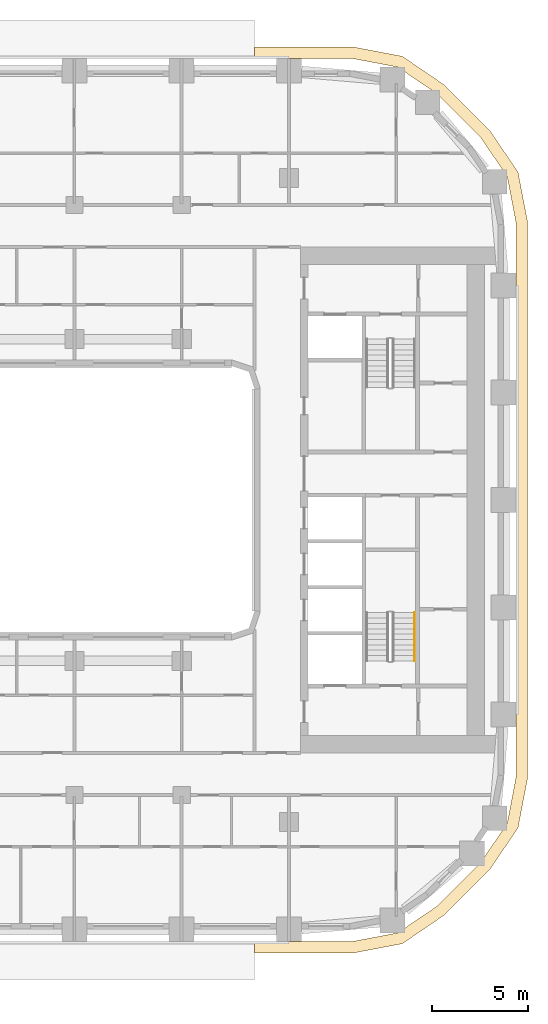
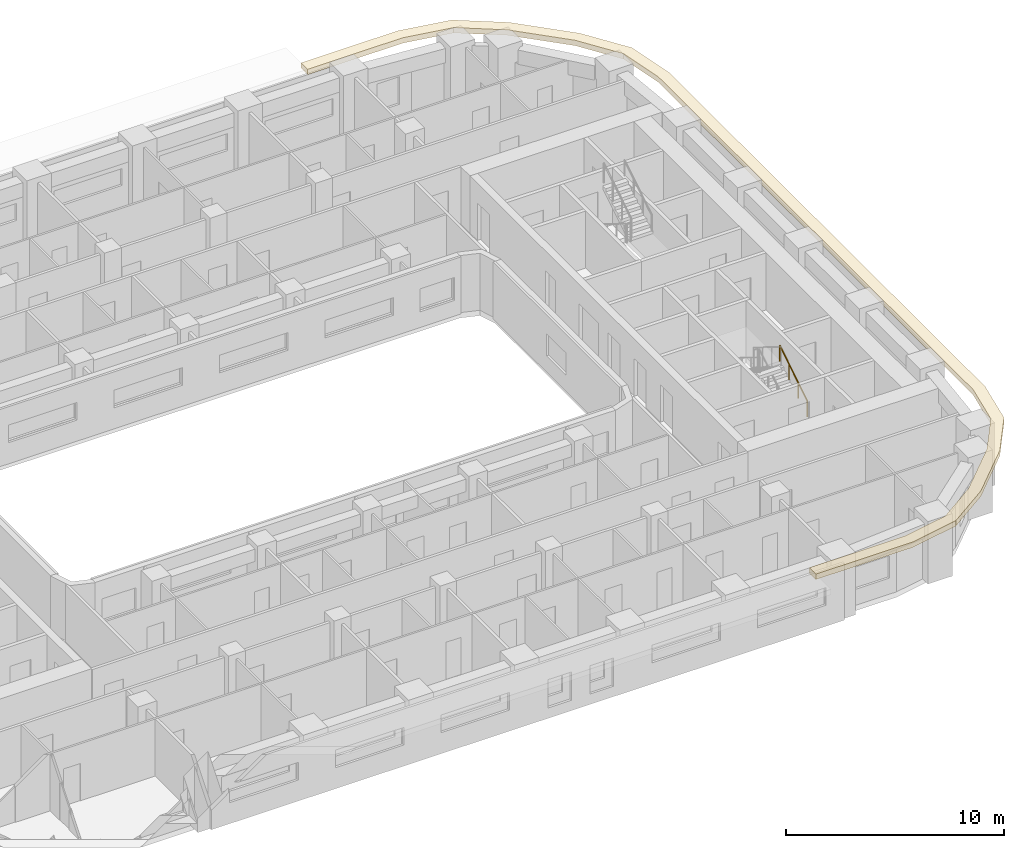
# One storey, part 17 of 21: 1 covering, 1 railing.
"""IFC4 building model written with IfcOpenShell, lengths in metres."""

from ifc_helpers import new_model, si_unit, direction, frame, origin, origin_2d, place, context, subcontext, project, spatial, polyline, circle, outline, extrude, material, layer, layer_set, type_object, element, save


model = new_model("IFC4")

# Units and contexts
model_context = context("Model", 3, precision=1e-05, world=origin(), true_north=direction((0.0, 1.0)))
body_context = subcontext(model_context, "Body", "Model", "MODEL_VIEW")
ifc_project = project(units=[si_unit("LENGTHUNIT", "METRE"), si_unit("AREAUNIT", "SQUARE_METRE"), si_unit("VOLUMEUNIT", "CUBIC_METRE"), si_unit("PLANEANGLEUNIT", "RADIAN"), si_unit("MASSUNIT", "GRAM", prefix="KILO")], contexts=[model_context])

# Site, building, storey
site_placement = place(None, origin())
site = spatial("IfcSite", under=ifc_project, at=site_placement, CompositionType="ELEMENT")
building_placement = place(site_placement, origin())
building = spatial("IfcBuilding", under=site, at=building_placement, Name="Kiln Ring Residences", CompositionType="ELEMENT")
storey_placement = place(building_placement, frame((0.0, 0.0, 93.800048828125)))
storey = spatial("IfcBuildingStorey", under=building, at=storey_placement, Name="L23", CompositionType="ELEMENT", Elevation=93.800048828125)

# Railing
ifc_material_1 = material(Name="Stainless steel", Category="steel")
railing_type = type_object("IfcRailingType", Name="CORE-STAIR-HANDRAIL", PredefinedType="HANDRAIL", material=ifc_material_1)
railing_placement = place(storey_placement, frame((23.35009765625, -8.39990234375, 0.175048828125)))
element("IfcRailing", 1, at=railing_placement, inside=storey, type_object=railing_type, Name="L23 E-STS stair handrail 1", PredefinedType="HANDRAIL", context=body_context, shape_type="SweptSolid", body=[
    extrude(circle(Radius=0.02392578125, at=origin_2d()), frame((0.0, 0.0, 0.8759765625), z_axis=(0.0, 0.848007534815, 0.529984170421), x_axis=(-1.0, 0.0, 0.0)), (0.0, 0.0, 1.0), 2.9716796875),
    extrude(circle(Radius=0.02099609375, at=origin_2d()), origin(), (0.0, 0.0, 1.0), 0.851806640625),
    extrude(circle(Radius=0.02099609375, at=origin_2d()), frame((0.0, 0.840087890625, 0.52490234375)), (0.0, 0.0, 1.0), 0.851806640625),
    extrude(circle(Radius=0.02099609375, at=origin_2d()), frame((0.0, 1.679931640625, 1.050048828125)), (0.0, 0.0, 1.0), 0.851806640625),
    extrude(circle(Radius=0.02099609375, at=origin_2d()), frame((0.0, 2.52001953125, 1.574951171875)), (0.0, 0.0, 1.0), 0.851806640625),
])

# Covering
ifc_material_2 = material(Name="Black powder-coated steel", Category="steel")
ifc_layer = layer(ifc_material_2, 0.300048828125)
ifc_layer_set = layer_set([ifc_layer], Name="SUNSHADE FIN 600")
covering_type = type_object("IfcCoveringType", Name="SUNSHADE FIN 600", PredefinedType="CLADDING", material=ifc_layer_set)
covering_placement = place(storey_placement, frame((0.0, 0.0, 3.199951171875)))
element("IfcCovering", 2, at=covering_placement, inside=storey, type_object=covering_type, Name="SUNSHADE FIN L23", PredefinedType="CLADDING", context=body_context, shape_type="SweptSolid", body=[
    extrude(outline(polyline([(20.1181640625, 23.64990234375), (15.0, 23.64990234375), (15.0, 23.050048828125), (20.061279296875, 23.050048828125), (22.478271484375, 22.589111328125), (24.51318359375, 21.2060546875), (26.805908203125, 18.9130859375), (28.18896484375, 16.87841796875), (28.64990234375, 14.46142578125), (28.64990234375, -14.46142578125), (28.18896484375, -16.87841796875), (26.805908203125, -18.9130859375), (24.51318359375, -21.2060546875), (22.478271484375, -22.589111328125), (20.061279296875, -23.050048828125), (15.0, -23.050048828125), (15.0, -23.64990234375), (20.1181640625, -23.64990234375), (22.712890625, -23.155029296875), (24.8974609375, -21.67041015625), (27.2705078125, -19.29736328125), (28.755126953125, -17.11279296875), (29.25, -14.51806640625), (29.25, 14.51806640625), (28.755126953125, 17.11279296875), (27.2705078125, 19.29736328125), (24.8974609375, 21.67041015625), (22.712890625, 23.155029296875), (20.1181640625, 23.64990234375)])), origin(), (0.0, 0.0, 1.0), 0.300048828125),
])

save(model, "model.ifc")
